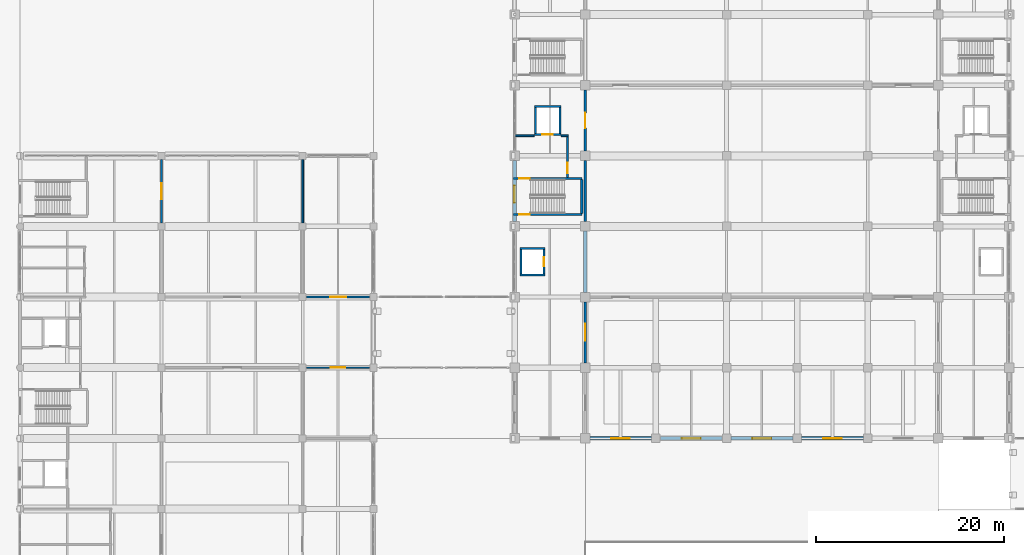
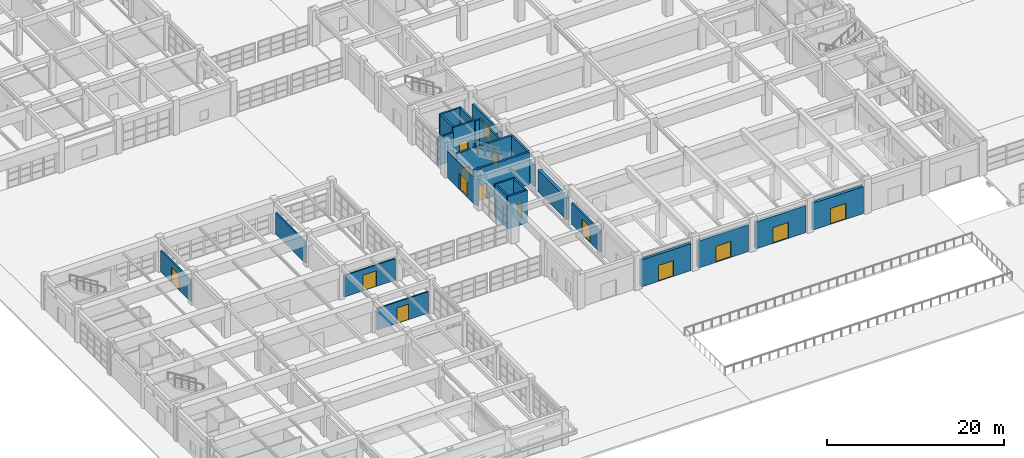
# One storey, part 87 of 122: 27 walls, 15 doors, 15 openings.
"""IFC4 building model written with IfcOpenShell, lengths in metres."""

from ifc_helpers import new_model, si_unit, direction, frame, frame_2d, origin, place, context, subcontext, project, spatial, rectangle, extrude, material, layer, layer_set, type_object, element, fill, save


model = new_model("IFC4")

# Units and contexts
model_context = context("Model", 3, precision=1e-05, world=origin(), true_north=direction((0.0, 1.0)))
body_context = subcontext(model_context, "Body", "Model", "MODEL_VIEW")
ifc_project = project(units=[si_unit("LENGTHUNIT", "METRE"), si_unit("AREAUNIT", "SQUARE_METRE"), si_unit("VOLUMEUNIT", "CUBIC_METRE"), si_unit("PLANEANGLEUNIT", "RADIAN"), si_unit("MASSUNIT", "GRAM", prefix="KILO")], contexts=[model_context])

# Site, building, storey
site_placement = place(None, origin())
site = spatial("IfcSite", under=ifc_project, at=site_placement, CompositionType="ELEMENT")
building_placement = place(site_placement, origin())
building = spatial("IfcBuilding", under=site, at=building_placement, Name="Qasida Concert Hall", CompositionType="ELEMENT")
storey_placement = place(building_placement, origin())
storey = spatial("IfcBuildingStorey", under=building, at=storey_placement, Name="L00", CompositionType="ELEMENT", Elevation=0.0)

# Walls
ifc_material_1 = material(Name="Concrete C40/50", Category="concrete")
ifc_layer_1 = layer(ifc_material_1, 0.219970703125, Name="Concrete C40/50")
ifc_layer_set_1 = layer_set([ifc_layer_1], Name="Concrete C40/50")
wall_type_1 = type_object("IfcWallType", Name="WL-CW-220", PredefinedType="SOLIDWALL", material=ifc_layer_set_1)
for number, where, z_axis, x_axis, name in (
    (1, (53.090087890625, 39.85009765625, 0.0), (0.0, 0.0, 1.0), (1.0, 0.0, 0.0), "L00 LF-01 lift shaft wall S"),
    (2, (53.090087890625, 42.64990234375, 0.0), (0.0, 0.0, 1.0), (1.0, 0.0, 0.0), "L00 LF-01 lift shaft wall N"),
):
    element("IfcWall", number, at=place(storey_placement, frame(where, z_axis=z_axis, x_axis=x_axis)), inside=storey, type_object=wall_type_1, Name=name, PredefinedType="SOLIDWALL", context=body_context, shape_type="SweptSolid", body=[
        extrude(rectangle(XDim=2.619873046875, YDim=0.219970703125, at=frame_2d((1.31005859375, 0.0))), origin(), (0.0, 0.0, 1.0), 4.5),
    ])
wall_1_placement = place(storey_placement, frame((53.199951171875, 39.9599609375, 0.0), z_axis=(0.0, 0.0, 1.0), x_axis=(0.0, 1.0, 0.0)))
element("IfcWall", 3, at=wall_1_placement, inside=storey, type_object=wall_type_1, Name="L00 LF-01 lift shaft wall W", PredefinedType="SOLIDWALL", context=body_context, shape_type="SweptSolid", body=[
    extrude(rectangle(XDim=2.580078125, YDim=0.219970703125, at=frame_2d((1.2900390625, 0.0))), origin(), (0.0, 0.0, 1.0), 4.5),
])

# Wall, opening, door
wall_2_placement = place(storey_placement, frame((55.60009765625, 39.9599609375, 0.0), z_axis=(0.0, 0.0, 1.0), x_axis=(0.0, 1.0, 0.0)))
wall_2 = element("IfcWall", 4, at=wall_2_placement, inside=storey, type_object=wall_type_1, Name="L00 LF-01 lift shaft wall E", PredefinedType="SOLIDWALL", context=body_context, shape_type="SweptSolid", body=[
    extrude(rectangle(XDim=2.580078125, YDim=0.219970703125, at=frame_2d((1.2900390625, 0.0))), origin(), (0.0, 0.0, 1.0), 4.5),
])
opening_1_placement = place(wall_2_placement, frame((0.7900390625, 0.0, 0.0)))
opening_1 = element("IfcOpeningElement", 5, at=opening_1_placement, cuts=wall_2, Name="Opening LD-100", PredefinedType="OPENING", context=body_context, shape_type="SweptSolid", body=[
    extrude(rectangle(XDim=1.0, YDim=2.14990234375, at=frame_2d((0.5, 1.074951171875))), frame((0.0, 0.119873046875, 0.0), z_axis=(0.0, -1.0, 0.0), x_axis=(1.0, 0.0, 0.0)), (0.0, 0.0, 1.0), 0.239990234375),
])
ifc_material_2 = material(Name="Brushed bronze passenger lift landing door", Category="steel")
door_type_1 = type_object("IfcDoorType", Name="LD-100", OperationType="SLIDING_TO_LEFT", PredefinedType="DOOR", material=ifc_material_2)
door_1_placement = place(opening_1_placement, origin())
door_1 = element("IfcDoor", 6, at=door_1_placement, inside=storey, type_object=door_type_1, Name="Lift landing door LF-01 L00", OperationType="SLIDING_TO_LEFT", OverallHeight=2.14990234375, OverallWidth=1.0, PredefinedType="DOOR", context=body_context, shape_type="SweptSolid", body=[
    extrude(rectangle(XDim=1.0, YDim=2.14990234375, at=frame_2d((0.5, 1.074951171875))), frame((0.0, 0.02490234375, 0.0), z_axis=(0.0, -1.0, 0.0), x_axis=(1.0, 0.0, 0.0)), (0.0, 0.0, 1.0), 0.050048828125),
])
fill(opening_1, door_1)

wall_3_placement = place(storey_placement, frame((54.590087890625, 54.75, 0.0), z_axis=(0.0, 0.0, 1.0), x_axis=(1.0, 0.0, 0.0)))
wall_3 = element("IfcWall", 7, at=wall_3_placement, inside=storey, type_object=wall_type_1, Name="L00 LF-03 lift shaft wall S", PredefinedType="SOLIDWALL", context=body_context, shape_type="SweptSolid", body=[
    extrude(rectangle(XDim=2.81982421875, YDim=0.219970703125, at=frame_2d((1.409912109375, 0.0))), origin(), (0.0, 0.0, 1.0), 4.5),
])
opening_2_placement = place(wall_3_placement, frame((0.860107421875, 0.0, 0.0)))
opening_2 = element("IfcOpeningElement", 8, at=opening_2_placement, cuts=wall_3, Name="Opening LD-110", PredefinedType="OPENING", context=body_context, shape_type="SweptSolid", body=[
    extrude(rectangle(XDim=1.10009765625, YDim=2.14990234375, at=frame_2d((0.550048828125, 1.074951171875))), frame((0.0, 0.119873046875, 0.0), z_axis=(0.0, -1.0, 0.0), x_axis=(1.0, 0.0, 0.0)), (0.0, 0.0, 1.0), 0.239990234375),
])
ifc_material_3 = material(Name="Firefighting lift sliding landing door", Category="steel")
door_type_2 = type_object("IfcDoorType", Name="LD-110", OperationType="SLIDING_TO_LEFT", PredefinedType="DOOR", material=ifc_material_3)
door_2_placement = place(opening_2_placement, origin())
door_2 = element("IfcDoor", 9, at=door_2_placement, inside=storey, type_object=door_type_2, Name="Lift landing door LF-03 L00", OperationType="SLIDING_TO_LEFT", OverallHeight=2.14990234375, OverallWidth=1.10009765625, PredefinedType="DOOR", context=body_context, shape_type="SweptSolid", body=[
    extrude(rectangle(XDim=1.10009765625, YDim=2.14990234375, at=frame_2d((0.550048828125, 1.074951171875))), frame((0.0, 0.02490234375, 0.0), z_axis=(0.0, -1.0, 0.0), x_axis=(1.0, 0.0, 0.0)), (0.0, 0.0, 1.0), 0.050048828125),
])
fill(opening_2, door_2)

# Walls
wall_4_placement = place(storey_placement, frame((54.590087890625, 57.75, 0.0), z_axis=(0.0, 0.0, 1.0), x_axis=(1.0, 0.0, 0.0)))
element("IfcWall", 10, at=wall_4_placement, inside=storey, type_object=wall_type_1, Name="L00 LF-03 lift shaft wall N", PredefinedType="SOLIDWALL", context=body_context, shape_type="SweptSolid", body=[
    extrude(rectangle(XDim=2.81982421875, YDim=0.219970703125, at=frame_2d((1.409912109375, 0.0))), origin(), (0.0, 0.0, 1.0), 4.5),
])
for number, where, z_axis, x_axis, name in (
    (11, (54.699951171875, 54.860107421875, 0.0), (0.0, 0.0, 1.0), (0.0, 1.0, 0.0), "L00 LF-03 lift shaft wall W"),
    (12, (57.300048828125, 54.860107421875, 0.0), (0.0, 0.0, 1.0), (0.0, 1.0, 0.0), "L00 LF-03 lift shaft wall E"),
):
    element("IfcWall", number, at=place(storey_placement, frame(where, z_axis=z_axis, x_axis=x_axis)), inside=storey, type_object=wall_type_1, Name=name, PredefinedType="SOLIDWALL", context=body_context, shape_type="SweptSolid", body=[
        extrude(rectangle(XDim=2.77978515625, YDim=0.219970703125, at=frame_2d((1.389892578125, 0.0))), origin(), (0.0, 0.0, 1.0), 4.5),
    ])

# Wall, opening, door
wall_5_placement = place(storey_placement, frame((58.10009765625, 50.219970703125, 0.0), z_axis=(0.0, 0.0, 1.0), x_axis=(0.0, 1.0, 0.0)))
wall_5 = element("IfcWall", 13, at=wall_5_placement, inside=storey, type_object=wall_type_1, Name="L00 LF-03 firefighting lobby wall", PredefinedType="SOLIDWALL", context=body_context, shape_type="SweptSolid", body=[
    extrude(rectangle(XDim=4.409912109375, YDim=0.219970703125, at=frame_2d((2.205078125, 0.0))), origin(), (0.0, 0.0, 1.0), 4.5),
])
opening_3_placement = place(wall_5_placement, frame((0.449951171875, 0.0, 0.0)))
opening_3 = element("IfcOpeningElement", 14, at=opening_3_placement, cuts=wall_5, Name="Opening FD-110", PredefinedType="OPENING", context=body_context, shape_type="SweptSolid", body=[
    extrude(rectangle(XDim=1.10009765625, YDim=2.14990234375, at=frame_2d((0.550048828125, 1.074951171875))), frame((0.0, 0.119873046875, 0.0), z_axis=(0.0, -1.0, 0.0), x_axis=(1.0, 0.0, 0.0)), (0.0, 0.0, 1.0), 0.239990234375),
])
ifc_material_4 = material(Name="Steel fire-rated stair/lobby door set", Category="steel")
door_type_3 = type_object("IfcDoorType", Name="FD-110", OperationType="NOTDEFINED", PredefinedType="DOOR", material=ifc_material_4)
door_3_placement = place(opening_3_placement, origin())
door_3 = element("IfcDoor", 15, at=door_3_placement, inside=storey, type_object=door_type_3, Name="L00 LF-03 firefighting lobby fire door", OperationType="SINGLE_SWING_RIGHT", OverallHeight=2.14990234375, OverallWidth=1.10009765625, PredefinedType="DOOR", context=body_context, shape_type="SweptSolid", body=[
    extrude(rectangle(XDim=1.10009765625, YDim=2.14990234375, at=frame_2d((0.550048828125, 1.074951171875))), frame((0.0, 0.02490234375, 0.0), z_axis=(0.0, -1.0, 0.0), x_axis=(1.0, 0.0, 0.0)), (0.0, 0.0, 1.0), 0.050048828125),
])
fill(opening_3, door_3)

ifc_layer_2 = layer(ifc_material_1, 0.25, Name="Concrete C40/50")
ifc_layer_set_2 = layer_set([ifc_layer_2], Name="Concrete C40/50")
wall_type_2 = type_object("IfcWallType", Name="WL-CW-250", PredefinedType="SOLIDWALL", material=ifc_layer_set_2)
wall_6_placement = place(storey_placement, frame((52.3798828125, 46.27490234375, 0.0), z_axis=(0.0, 0.0, 1.0), x_axis=(1.0, 0.0, 0.0)))
wall_6 = element("IfcWall", 16, at=wall_6_placement, inside=storey, type_object=wall_type_2, Name="L00 ST-01 stairwell wall S", PredefinedType="SOLIDWALL", context=body_context, shape_type="SweptSolid", body=[
    extrude(rectangle(XDim=7.260009765625, YDim=0.25, at=frame_2d((3.6298828125, 0.0))), origin(), (0.0, 0.0, 1.0), 4.5),
])
opening_4_placement = place(wall_6_placement, frame((0.6201171875, 0.0, 0.0)))
opening_4 = element("IfcOpeningElement", 17, at=opening_4_placement, cuts=wall_6, Name="Opening FD-110", PredefinedType="OPENING", context=body_context, shape_type="SweptSolid", body=[
    extrude(rectangle(XDim=1.10009765625, YDim=2.14990234375, at=frame_2d((0.550048828125, 1.074951171875))), frame((0.0, 0.135009765625, 0.0), z_axis=(0.0, -1.0, 0.0), x_axis=(1.0, 0.0, 0.0)), (0.0, 0.0, 1.0), 0.27001953125),
])
door_4_placement = place(opening_4_placement, origin())
door_4 = element("IfcDoor", 18, at=door_4_placement, inside=storey, type_object=door_type_3, Name="L00 ST-01 rated stair door", OperationType="SINGLE_SWING_LEFT", OverallHeight=2.14990234375, OverallWidth=1.10009765625, PredefinedType="DOOR", context=body_context, shape_type="SweptSolid", body=[
    extrude(rectangle(XDim=1.10009765625, YDim=2.14990234375, at=frame_2d((0.550048828125, 1.074951171875))), frame((0.0, 0.02490234375, 0.0), z_axis=(0.0, -1.0, 0.0), x_axis=(1.0, 0.0, 0.0)), (0.0, 0.0, 1.0), 0.050048828125),
])
fill(opening_4, door_4)

wall_7_placement = place(storey_placement, frame((52.3798828125, 50.0849609375, 0.0), z_axis=(0.0, 0.0, 1.0), x_axis=(1.0, 0.0, 0.0)))
wall_7 = element("IfcWall", 19, at=wall_7_placement, inside=storey, type_object=wall_type_2, Name="L00 ST-01 stairwell wall N", PredefinedType="SOLIDWALL", context=body_context, shape_type="SweptSolid", body=[
    extrude(rectangle(XDim=7.260009765625, YDim=0.25, at=frame_2d((3.6298828125, 0.0))), origin(), (0.0, 0.0, 1.0), 4.5),
])
opening_5_placement = place(wall_7_placement, frame((0.6201171875, 0.0, 0.0)))
opening_5 = element("IfcOpeningElement", 20, at=opening_5_placement, cuts=wall_7, Name="Opening FD-110", PredefinedType="OPENING", context=body_context, shape_type="SweptSolid", body=[
    extrude(rectangle(XDim=1.10009765625, YDim=2.14990234375, at=frame_2d((0.550048828125, 1.074951171875))), frame((0.0, 0.135009765625, 0.0), z_axis=(0.0, -1.0, 0.0), x_axis=(1.0, 0.0, 0.0)), (0.0, 0.0, 1.0), 0.27001953125),
])
door_5_placement = place(opening_5_placement, frame((1.10009765625, 0.0, 0.0), z_axis=(0.0, 0.0, 1.0), x_axis=(-1.0, 0.0, 0.0)))
door_5 = element("IfcDoor", 21, at=door_5_placement, inside=storey, type_object=door_type_3, Name="L00 ST-01 rated stair door", OperationType="SINGLE_SWING_RIGHT", OverallHeight=2.14990234375, OverallWidth=1.10009765625, PredefinedType="DOOR", context=body_context, shape_type="SweptSolid", body=[
    extrude(rectangle(XDim=1.10009765625, YDim=2.14990234375, at=frame_2d((0.550048828125, 1.074951171875))), frame((0.0, 0.02490234375, 0.0), z_axis=(0.0, -1.0, 0.0), x_axis=(1.0, 0.0, 0.0)), (0.0, 0.0, 1.0), 0.050048828125),
])
fill(opening_5, door_5)

# Wall
wall_8_placement = place(storey_placement, frame((59.64501953125, 46.39990234375, 0.0), z_axis=(0.0, 0.0, 1.0), x_axis=(0.0, 1.0, 0.0)))
element("IfcWall", 22, at=wall_8_placement, inside=storey, type_object=wall_type_2, Name="L00 ST-01 stairwell wall E", PredefinedType="SOLIDWALL", context=body_context, shape_type="SweptSolid", body=[
    extrude(rectangle(XDim=3.56005859375, YDim=0.25, at=frame_2d((1.780029296875, 0.0))), origin(), (0.0, 0.0, 1.0), 4.5),
])

# Wall, opening, door
ifc_material_5 = material(Name="Precast concrete C40/50", Category="concrete")
ifc_layer_3 = layer(ifc_material_5, 0.360107421875, Name="Precast concrete C40/50")
ifc_layer_set_3 = layer_set([ifc_layer_3], Name="Precast concrete C40/50")
wall_type_3 = type_object("IfcWallType", Name="WL-EW-360", PredefinedType="SOLIDWALL", material=ifc_layer_set_3)
wall_9_placement = place(storey_placement, frame((60.514892578125, 22.5, 0.0), z_axis=(0.0, 0.0, 1.0), x_axis=(1.0, 0.0, 0.0)))
wall_9 = element("IfcWall", 23, at=wall_9_placement, inside=storey, type_object=wall_type_3, Name="L00 exterior wall EW-360 0002", PredefinedType="SOLIDWALL", context=body_context, shape_type="SweptSolid", body=[
    extrude(rectangle(XDim=6.52001953125, YDim=0.360107421875, at=frame_2d((3.260009765625, 0.0))), origin(), (0.0, 0.0, 1.0), 3.719970703125),
])
opening_6_placement = place(wall_9_placement, frame((2.235107421875, 0.0, 0.0)))
opening_6 = element("IfcOpeningElement", 24, at=opening_6_placement, cuts=wall_9, Name="Opening ED-200", PredefinedType="OPENING", context=body_context, shape_type="SweptSolid", body=[
    extrude(rectangle(XDim=2.0, YDim=2.199951171875, at=frame_2d((1.0, 1.10009765625))), frame((0.0, 0.18994140625, 0.0), z_axis=(0.0, -1.0, 0.0), x_axis=(1.0, 0.0, 0.0)), (0.0, 0.0, 1.0), 0.380126953125),
])
ifc_material_6 = material(Name="Patinated architectural bronze and laminated safety glass", Category="glass")
door_type_4 = type_object("IfcDoorType", Name="ED-200", OperationType="NOTDEFINED", PredefinedType="DOOR", material=ifc_material_6)
door_6_placement = place(opening_6_placement, frame((2.0, 0.0, 0.0), z_axis=(0.0, 0.0, 1.0), x_axis=(-1.0, 0.0, 0.0)))
door_6 = element("IfcDoor", 25, at=door_6_placement, inside=storey, type_object=door_type_4, Name="Symphony south plaza exit door 2", OperationType="SINGLE_SWING_RIGHT", OverallHeight=2.199951171875, OverallWidth=2.0, PredefinedType="DOOR", context=body_context, shape_type="SweptSolid", body=[
    extrude(rectangle(XDim=2.0, YDim=2.199951171875, at=frame_2d((1.0, 1.10009765625))), frame((0.0, 0.02490234375, 0.0), z_axis=(0.0, -1.0, 0.0), x_axis=(1.0, 0.0, 0.0)), (0.0, 0.0, 1.0), 0.050048828125),
])
fill(opening_6, door_6)

wall_10_placement = place(storey_placement, frame((67.965087890625, 22.5, 0.0), z_axis=(0.0, 0.0, 1.0), x_axis=(1.0, 0.0, 0.0)))
wall_10 = element("IfcWall", 26, at=wall_10_placement, inside=storey, type_object=wall_type_3, Name="L00 exterior wall EW-360 0003", PredefinedType="SOLIDWALL", context=body_context, shape_type="SweptSolid", body=[
    extrude(rectangle(XDim=6.56982421875, YDim=0.360107421875, at=frame_2d((3.284912109375, 0.0))), origin(), (0.0, 0.0, 1.0), 3.719970703125),
])
opening_7_placement = place(wall_10_placement, frame((2.284912109375, 0.0, 0.0)))
opening_7 = element("IfcOpeningElement", 27, at=opening_7_placement, cuts=wall_10, Name="Opening ED-200", PredefinedType="OPENING", context=body_context, shape_type="SweptSolid", body=[
    extrude(rectangle(XDim=2.0, YDim=2.199951171875, at=frame_2d((1.0, 1.10009765625))), frame((0.0, 0.18994140625, 0.0), z_axis=(0.0, -1.0, 0.0), x_axis=(1.0, 0.0, 0.0)), (0.0, 0.0, 1.0), 0.380126953125),
])
door_7_placement = place(opening_7_placement, frame((2.0, 0.0, 0.0), z_axis=(0.0, 0.0, 1.0), x_axis=(-1.0, 0.0, 0.0)))
door_7 = element("IfcDoor", 28, at=door_7_placement, inside=storey, type_object=door_type_4, Name="Symphony south plaza exit door 3", OperationType="SINGLE_SWING_LEFT", OverallHeight=2.199951171875, OverallWidth=2.0, PredefinedType="DOOR", context=body_context, shape_type="SweptSolid", body=[
    extrude(rectangle(XDim=2.0, YDim=2.199951171875, at=frame_2d((1.0, 1.10009765625))), frame((0.0, 0.02490234375, 0.0), z_axis=(0.0, -1.0, 0.0), x_axis=(1.0, 0.0, 0.0)), (0.0, 0.0, 1.0), 0.050048828125),
])
fill(opening_7, door_7)

wall_11_placement = place(storey_placement, frame((75.465087890625, 22.5, 0.0), z_axis=(0.0, 0.0, 1.0), x_axis=(1.0, 0.0, 0.0)))
wall_11 = element("IfcWall", 29, at=wall_11_placement, inside=storey, type_object=wall_type_3, Name="L00 exterior wall EW-360 0004", PredefinedType="SOLIDWALL", context=body_context, shape_type="SweptSolid", body=[
    extrude(rectangle(XDim=6.56982421875, YDim=0.360107421875, at=frame_2d((3.284912109375, 0.0))), origin(), (0.0, 0.0, 1.0), 3.719970703125),
])
opening_8_placement = place(wall_11_placement, frame((2.284912109375, 0.0, 0.0)))
opening_8 = element("IfcOpeningElement", 30, at=opening_8_placement, cuts=wall_11, Name="Opening ED-200", PredefinedType="OPENING", context=body_context, shape_type="SweptSolid", body=[
    extrude(rectangle(XDim=2.0, YDim=2.199951171875, at=frame_2d((1.0, 1.10009765625))), frame((0.0, 0.18994140625, 0.0), z_axis=(0.0, -1.0, 0.0), x_axis=(1.0, 0.0, 0.0)), (0.0, 0.0, 1.0), 0.380126953125),
])
door_8_placement = place(opening_8_placement, frame((2.0, 0.0, 0.0), z_axis=(0.0, 0.0, 1.0), x_axis=(-1.0, 0.0, 0.0)))
door_8 = element("IfcDoor", 31, at=door_8_placement, inside=storey, type_object=door_type_4, Name="Symphony south plaza exit door 4", OperationType="SINGLE_SWING_RIGHT", OverallHeight=2.199951171875, OverallWidth=2.0, PredefinedType="DOOR", context=body_context, shape_type="SweptSolid", body=[
    extrude(rectangle(XDim=2.0, YDim=2.199951171875, at=frame_2d((1.0, 1.10009765625))), frame((0.0, 0.02490234375, 0.0), z_axis=(0.0, -1.0, 0.0), x_axis=(1.0, 0.0, 0.0)), (0.0, 0.0, 1.0), 0.050048828125),
])
fill(opening_8, door_8)

wall_12_placement = place(storey_placement, frame((82.965087890625, 22.5, 0.0), z_axis=(0.0, 0.0, 1.0), x_axis=(1.0, 0.0, 0.0)))
wall_12 = element("IfcWall", 32, at=wall_12_placement, inside=storey, type_object=wall_type_3, Name="L00 exterior wall EW-360 0005", PredefinedType="SOLIDWALL", context=body_context, shape_type="SweptSolid", body=[
    extrude(rectangle(XDim=6.56982421875, YDim=0.360107421875, at=frame_2d((3.284912109375, 0.0))), origin(), (0.0, 0.0, 1.0), 3.719970703125),
])
opening_9_placement = place(wall_12_placement, frame((2.284912109375, 0.0, 0.0)))
opening_9 = element("IfcOpeningElement", 33, at=opening_9_placement, cuts=wall_12, Name="Opening ED-200", PredefinedType="OPENING", context=body_context, shape_type="SweptSolid", body=[
    extrude(rectangle(XDim=2.0, YDim=2.199951171875, at=frame_2d((1.0, 1.10009765625))), frame((0.0, 0.18994140625, 0.0), z_axis=(0.0, -1.0, 0.0), x_axis=(1.0, 0.0, 0.0)), (0.0, 0.0, 1.0), 0.380126953125),
])
door_9_placement = place(opening_9_placement, frame((2.0, 0.0, 0.0), z_axis=(0.0, 0.0, 1.0), x_axis=(-1.0, 0.0, 0.0)))
door_9 = element("IfcDoor", 34, at=door_9_placement, inside=storey, type_object=door_type_4, Name="Symphony south plaza exit door 5", OperationType="SINGLE_SWING_LEFT", OverallHeight=2.199951171875, OverallWidth=2.0, PredefinedType="DOOR", context=body_context, shape_type="SweptSolid", body=[
    extrude(rectangle(XDim=2.0, YDim=2.199951171875, at=frame_2d((1.0, 1.10009765625))), frame((0.0, 0.02490234375, 0.0), z_axis=(0.0, -1.0, 0.0), x_axis=(1.0, 0.0, 0.0)), (0.0, 0.0, 1.0), 0.050048828125),
])
fill(opening_9, door_9)

wall_13_placement = place(storey_placement, frame((52.5, 45.514892578125, 0.0), z_axis=(0.0, 0.0, 1.0), x_axis=(0.0, 1.0, 0.0)))
wall_13 = element("IfcWall", 35, at=wall_13_placement, inside=storey, type_object=wall_type_3, Name="L00 exterior wall EW-360 0018", PredefinedType="SOLIDWALL", context=body_context, shape_type="SweptSolid", body=[
    extrude(rectangle(XDim=6.47021484375, YDim=0.360107421875, at=frame_2d((3.235107421875, 0.0))), origin(), (0.0, 0.0, 1.0), 3.669921875),
])
opening_10_placement = place(wall_13_placement, frame((2.02197265625, 0.0, 0.0)))
opening_10 = element("IfcOpeningElement", 36, at=opening_10_placement, cuts=wall_13, Name="Opening ED-180", PredefinedType="OPENING", context=body_context, shape_type="SweptSolid", body=[
    extrude(rectangle(XDim=1.800048828125, YDim=2.199951171875, at=frame_2d((0.89990234375, 1.10009765625))), frame((0.0, 0.18994140625, 0.0), z_axis=(0.0, -1.0, 0.0), x_axis=(1.0, 0.0, 0.0)), (0.0, 0.0, 1.0), 0.380126953125),
])
door_type_5 = type_object("IfcDoorType", Name="ED-180", OperationType="NOTDEFINED", PredefinedType="DOOR", material=ifc_material_6)
door_10_placement = place(opening_10_placement, origin())
door_10 = element("IfcDoor", 37, at=door_10_placement, inside=storey, type_object=door_type_5, Name="Exit stair ST-01 final discharge door", OperationType="SINGLE_SWING_RIGHT", OverallHeight=2.199951171875, OverallWidth=1.800048828125, PredefinedType="DOOR", context=body_context, shape_type="SweptSolid", body=[
    extrude(rectangle(XDim=1.800048828125, YDim=2.199951171875, at=frame_2d((0.89990234375, 1.10009765625))), frame((0.0, 0.02490234375, 0.0), z_axis=(0.0, -1.0, 0.0), x_axis=(1.0, 0.0, 0.0)), (0.0, 0.0, 1.0), 0.050048828125),
])
fill(opening_10, door_10)

ifc_material_7 = material(Name="Acoustic metal-stud gypsum partition", Category="gypsum")
ifc_layer_4 = layer(ifc_material_7, 0.179931640625, Name="Acoustic metal-stud gypsum partition")
ifc_layer_set_4 = layer_set([ifc_layer_4], Name="Acoustic metal-stud gypsum partition")
wall_type_4 = type_object("IfcWallType", Name="WL-PW-180", PredefinedType="PARTITIONING", material=ifc_layer_set_4)
wall_14_placement = place(storey_placement, frame((30.388916015625, 30.0, 0.0), z_axis=(0.0, 0.0, 1.0), x_axis=(1.0, 0.0, 0.0)))
wall_14 = element("IfcWall", 38, at=wall_14_placement, inside=storey, type_object=wall_type_4, Name="L00 partition PW-180 0174", PredefinedType="PARTITIONING", context=body_context, shape_type="SweptSolid", body=[
    extrude(rectangle(XDim=6.72216796875, YDim=0.179931640625, at=frame_2d((3.361083984375, 0.0))), origin(), (0.0, 0.0, 1.0), 2.969970703125),
])
opening_11_placement = place(wall_14_placement, frame((2.611083984375, 0.0, 0.0)))
opening_11 = element("IfcOpeningElement", 39, at=opening_11_placement, cuts=wall_14, Name="Opening ID-150", PredefinedType="OPENING", context=body_context, shape_type="SweptSolid", body=[
    extrude(rectangle(XDim=1.5, YDim=2.159912109375, at=frame_2d((0.75, 1.080078125))), frame((0.0, 0.099853515625, 0.0), z_axis=(0.0, -1.0, 0.0), x_axis=(1.0, 0.0, 0.0)), (0.0, 0.0, 1.0), 0.199951171875),
])
ifc_material_8 = material(Name="Bronze-framed glazed foyer door", Category="aluminium")
door_type_6 = type_object("IfcDoorType", Name="ID-150", OperationType="NOTDEFINED", PredefinedType="DOOR", material=ifc_material_8)
door_11_placement = place(opening_11_placement, origin())
door_11 = element("IfcDoor", 40, at=door_11_placement, inside=storey, type_object=door_type_6, Name="L00 Music shop door", OperationType="SINGLE_SWING_LEFT", OverallHeight=2.159912109375, OverallWidth=1.5, PredefinedType="DOOR", context=body_context, shape_type="SweptSolid", body=[
    extrude(rectangle(XDim=1.5, YDim=2.159912109375, at=frame_2d((0.75, 1.080078125))), frame((0.0, 0.02490234375, 0.0), z_axis=(0.0, -1.0, 0.0), x_axis=(1.0, 0.0, 0.0)), (0.0, 0.0, 1.0), 0.050048828125),
])
fill(opening_11, door_11)

wall_15_placement = place(storey_placement, frame((30.388916015625, 37.5, 0.0), z_axis=(0.0, 0.0, 1.0), x_axis=(1.0, 0.0, 0.0)))
wall_15 = element("IfcWall", 41, at=wall_15_placement, inside=storey, type_object=wall_type_4, Name="L00 partition PW-180 0176", PredefinedType="PARTITIONING", context=body_context, shape_type="SweptSolid", body=[
    extrude(rectangle(XDim=6.72216796875, YDim=0.179931640625, at=frame_2d((3.361083984375, 0.0))), origin(), (0.0, 0.0, 1.0), 2.969970703125),
])
opening_12_placement = place(wall_15_placement, frame((2.510986328125, 0.0, 0.0)))
opening_12 = element("IfcOpeningElement", 42, at=opening_12_placement, cuts=wall_15, Name="Opening ID-170", PredefinedType="OPENING", context=body_context, shape_type="SweptSolid", body=[
    extrude(rectangle(XDim=1.699951171875, YDim=2.159912109375, at=frame_2d((0.85009765625, 1.080078125))), frame((0.0, 0.099853515625, 0.0), z_axis=(0.0, -1.0, 0.0), x_axis=(1.0, 0.0, 0.0)), (0.0, 0.0, 1.0), 0.199951171875),
])
ifc_material_9 = material(Name="Bronze-framed glazed exhibition door", Category="aluminium")
door_type_7 = type_object("IfcDoorType", Name="ID-170", OperationType="NOTDEFINED", PredefinedType="DOOR", material=ifc_material_9)
door_12_placement = place(opening_12_placement, origin())
door_12 = element("IfcDoor", 43, at=door_12_placement, inside=storey, type_object=door_type_7, Name="L00 Community exhibition room door", OperationType="SINGLE_SWING_LEFT", OverallHeight=2.159912109375, OverallWidth=1.699951171875, PredefinedType="DOOR", context=body_context, shape_type="SweptSolid", body=[
    extrude(rectangle(XDim=1.699951171875, YDim=2.159912109375, at=frame_2d((0.85009765625, 1.080078125))), frame((0.0, 0.02490234375, 0.0), z_axis=(0.0, -1.0, 0.0), x_axis=(1.0, 0.0, 0.0)), (0.0, 0.0, 1.0), 0.050048828125),
])
fill(opening_12, door_12)

# Wall
wall_16_placement = place(storey_placement, frame((30.0, 45.388916015625, 0.0), z_axis=(0.0, 0.0, 1.0), x_axis=(0.0, 1.0, 0.0)))
element("IfcWall", 44, at=wall_16_placement, inside=storey, type_object=wall_type_4, Name="L00 partition PW-180 0183", PredefinedType="PARTITIONING", context=body_context, shape_type="SweptSolid", body=[
    extrude(rectangle(XDim=6.72216796875, YDim=0.179931640625, at=frame_2d((3.361083984375, 0.0))), origin(), (0.0, 0.0, 1.0), 2.969970703125),
])

# Wall, opening, door
wall_17_placement = place(storey_placement, frame((15.0, 45.388916015625, 0.0), z_axis=(0.0, 0.0, 1.0), x_axis=(0.0, 1.0, 0.0)))
wall_17 = element("IfcWall", 45, at=wall_17_placement, inside=storey, type_object=wall_type_4, Name="L00 partition PW-180 0187", PredefinedType="PARTITIONING", context=body_context, shape_type="SweptSolid", body=[
    extrude(rectangle(XDim=6.72216796875, YDim=0.179931640625, at=frame_2d((3.361083984375, 0.0))), origin(), (0.0, 0.0, 1.0), 2.969970703125),
])
opening_13_placement = place(wall_17_placement, frame((2.510986328125, 0.0, 0.0)))
opening_13 = element("IfcOpeningElement", 46, at=opening_13_placement, cuts=wall_17, Name="Opening ID-170", PredefinedType="OPENING", context=body_context, shape_type="SweptSolid", body=[
    extrude(rectangle(XDim=1.699951171875, YDim=2.159912109375, at=frame_2d((0.85009765625, 1.080078125))), frame((0.0, 0.099853515625, 0.0), z_axis=(0.0, -1.0, 0.0), x_axis=(1.0, 0.0, 0.0)), (0.0, 0.0, 1.0), 0.199951171875),
])
door_13_placement = place(opening_13_placement, origin())
door_13 = element("IfcDoor", 47, at=door_13_placement, inside=storey, type_object=door_type_7, Name="L00 Public cafe north door", OperationType="SINGLE_SWING_LEFT", OverallHeight=2.159912109375, OverallWidth=1.699951171875, PredefinedType="DOOR", context=body_context, shape_type="SweptSolid", body=[
    extrude(rectangle(XDim=1.699951171875, YDim=2.159912109375, at=frame_2d((0.85009765625, 1.080078125))), frame((0.0, 0.02490234375, 0.0), z_axis=(0.0, -1.0, 0.0), x_axis=(1.0, 0.0, 0.0)), (0.0, 0.0, 1.0), 0.050048828125),
])
fill(opening_13, door_13)

# Walls
ifc_material_10 = material(Name="Acoustic gypsum block and mineral wool", Category="gypsum")
ifc_layer_5 = layer(ifc_material_10, 0.199951171875, Name="Acoustic gypsum block and mineral wool")
ifc_layer_set_5 = layer_set([ifc_layer_5], Name="Acoustic gypsum block and mineral wool")
wall_type_5 = type_object("IfcWallType", Name="WL-PW-200", PredefinedType="PARTITIONING", material=ifc_layer_set_5)
wall_18_placement = place(storey_placement, frame((52.56005859375, 54.6298828125, 0.0), z_axis=(0.0, 0.0, 1.0), x_axis=(1.0, 0.0, 0.0)))
element("IfcWall", 48, at=wall_18_placement, inside=storey, type_object=wall_type_5, Name="L00 LF-03 firefighting lobby return wall", PredefinedType="PARTITIONING", context=body_context, shape_type="SweptSolid", body=[
    extrude(rectangle(XDim=2.014892578125, YDim=0.199951171875, at=frame_2d((1.00732421875, 0.0))), origin(), (0.0, 0.0, 1.0), 3.8798828125),
])
wall_19_placement = place(storey_placement, frame((57.425048828125, 54.6298828125, 0.0), z_axis=(0.0, 0.0, 1.0), x_axis=(1.0, 0.0, 0.0)))
element("IfcWall", 49, at=wall_19_placement, inside=storey, type_object=wall_type_5, Name="L00 LF-03 firefighting lobby return wall", PredefinedType="PARTITIONING", context=body_context, shape_type="SweptSolid", body=[
    extrude(rectangle(XDim=0.784912109375, YDim=0.199951171875, at=frame_2d((0.392578125, 0.0))), origin(), (0.0, 0.0, 1.0), 4.47998046875),
])

# Wall, opening, door
ifc_material_11 = material(Name="Double-stud acoustic gypsum and mineral wool", Category="gypsum")
ifc_layer_6 = layer(ifc_material_11, 0.239990234375, Name="Double-stud acoustic gypsum and mineral wool")
ifc_layer_set_6 = layer_set([ifc_layer_6], Name="Double-stud acoustic gypsum and mineral wool")
wall_type_6 = type_object("IfcWallType", Name="WL-PW-240", PredefinedType="PARTITIONING", material=ifc_layer_set_6)
wall_20_placement = place(storey_placement, frame((60.0, 30.513916015625, 0.0), z_axis=(0.0, 0.0, 1.0), x_axis=(0.0, 1.0, 0.0)))
wall_20 = element("IfcWall", 50, at=wall_20_placement, inside=storey, type_object=wall_type_6, Name="L00 partition PW-240 0418", PredefinedType="PARTITIONING", context=body_context, shape_type="SweptSolid", body=[
    extrude(rectangle(XDim=6.47216796875, YDim=0.239990234375, at=frame_2d((3.236083984375, 0.0))), origin(), (0.0, 0.0, 1.0), 2.969970703125),
])
opening_14_placement = place(wall_20_placement, frame((2.3359375, 0.0, 0.0)))
opening_14 = element("IfcOpeningElement", 51, at=opening_14_placement, cuts=wall_20, Name="Opening AD-180", PredefinedType="OPENING", context=body_context, shape_type="SweptSolid", body=[
    extrude(rectangle(XDim=1.800048828125, YDim=2.159912109375, at=frame_2d((0.89990234375, 1.080078125))), frame((0.0, 0.1298828125, 0.0), z_axis=(0.0, -1.0, 0.0), x_axis=(1.0, 0.0, 0.0)), (0.0, 0.0, 1.0), 0.260009765625),
])
ifc_material_12 = material(Name="Double-seal Rw 52 dB auditorium vomitory door", Category="wood")
door_type_8 = type_object("IfcDoorType", Name="AD-180", OperationType="NOTDEFINED", PredefinedType="DOOR", material=ifc_material_12)
door_14_placement = place(opening_14_placement, origin())
door_14 = element("IfcDoor", 52, at=door_14_placement, inside=storey, type_object=door_type_8, Name="L00 Symphony west cloakroom hall door", OperationType="SINGLE_SWING_LEFT", OverallHeight=2.159912109375, OverallWidth=1.800048828125, PredefinedType="DOOR", context=body_context, shape_type="SweptSolid", body=[
    extrude(rectangle(XDim=1.800048828125, YDim=2.159912109375, at=frame_2d((0.89990234375, 1.080078125))), frame((0.0, 0.02490234375, 0.0), z_axis=(0.0, -1.0, 0.0), x_axis=(1.0, 0.0, 0.0)), (0.0, 0.0, 1.0), 0.050048828125),
])
fill(opening_14, door_14)

# Wall
wall_21_placement = place(storey_placement, frame((60.0, 45.513916015625, 0.0), z_axis=(0.0, 0.0, 1.0), x_axis=(0.0, 1.0, 0.0)))
element("IfcWall", 53, at=wall_21_placement, inside=storey, type_object=wall_type_6, Name="L00 partition PW-240 0419", PredefinedType="PARTITIONING", context=body_context, shape_type="SweptSolid", body=[
    extrude(rectangle(XDim=6.47216796875, YDim=0.239990234375, at=frame_2d((3.236083984375, 0.0))), origin(), (0.0, 0.0, 1.0), 2.969970703125),
])

# Wall, opening, door
wall_22_placement = place(storey_placement, frame((60.0, 53.013916015625, 0.0), z_axis=(0.0, 0.0, 1.0), x_axis=(0.0, 1.0, 0.0)))
wall_22 = element("IfcWall", 54, at=wall_22_placement, inside=storey, type_object=wall_type_6, Name="L00 partition PW-240 0420", PredefinedType="PARTITIONING", context=body_context, shape_type="SweptSolid", body=[
    extrude(rectangle(XDim=6.47216796875, YDim=0.239990234375, at=frame_2d((3.236083984375, 0.0))), origin(), (0.0, 0.0, 1.0), 2.969970703125),
])
opening_15_placement = place(wall_22_placement, frame((2.43603515625, 0.0, 0.0)))
opening_15 = element("IfcOpeningElement", 55, at=opening_15_placement, cuts=wall_22, Name="Opening FD-160", PredefinedType="OPENING", context=body_context, shape_type="SweptSolid", body=[
    extrude(rectangle(XDim=1.60009765625, YDim=2.14990234375, at=frame_2d((0.800048828125, 1.074951171875))), frame((0.0, 0.1298828125, 0.0), z_axis=(0.0, -1.0, 0.0), x_axis=(1.0, 0.0, 0.0)), (0.0, 0.0, 1.0), 0.260009765625),
])
ifc_material_13 = material(Name="Double-leaf acoustic fire door", Category="steel")
door_type_9 = type_object("IfcDoorType", Name="FD-160", OperationType="NOTDEFINED", PredefinedType="DOOR", material=ifc_material_13)
door_15_placement = place(opening_15_placement, origin())
door_15 = element("IfcDoor", 56, at=door_15_placement, inside=storey, type_object=door_type_9, Name="L00 Symphony west mid gallery door", OperationType="SINGLE_SWING_RIGHT", OverallHeight=2.14990234375, OverallWidth=1.60009765625, PredefinedType="DOOR", context=body_context, shape_type="SweptSolid", body=[
    extrude(rectangle(XDim=1.60009765625, YDim=2.14990234375, at=frame_2d((0.800048828125, 1.074951171875))), frame((0.0, 0.02490234375, 0.0), z_axis=(0.0, -1.0, 0.0), x_axis=(1.0, 0.0, 0.0)), (0.0, 0.0, 1.0), 0.050048828125),
])
fill(opening_15, door_15)

# Wall
ifc_layer_7 = layer(ifc_material_1, 0.39990234375, Name="Concrete C40/50")
ifc_layer_set_7 = layer_set([ifc_layer_7], Name="Concrete C40/50")
wall_type_7 = type_object("IfcWallType", Name="WL-SW-400", PredefinedType="SHEAR", material=ifc_layer_set_7)
wall_23_placement = place(storey_placement, frame((60.0, 38.0, 0.0), z_axis=(0.0, 0.0, 1.0), x_axis=(0.0, 1.0, 0.0)))
element("IfcWall", 57, at=wall_23_placement, inside=storey, type_object=wall_type_7, Name="L00 acoustic box shear wall 0008", PredefinedType="SHEAR", context=body_context, shape_type="SweptSolid", body=[
    extrude(rectangle(XDim=6.5, YDim=0.39990234375, at=frame_2d((3.25, 0.0))), origin(), (0.0, 0.0, 1.0), 3.0),
])

save(model, "model.ifc")
